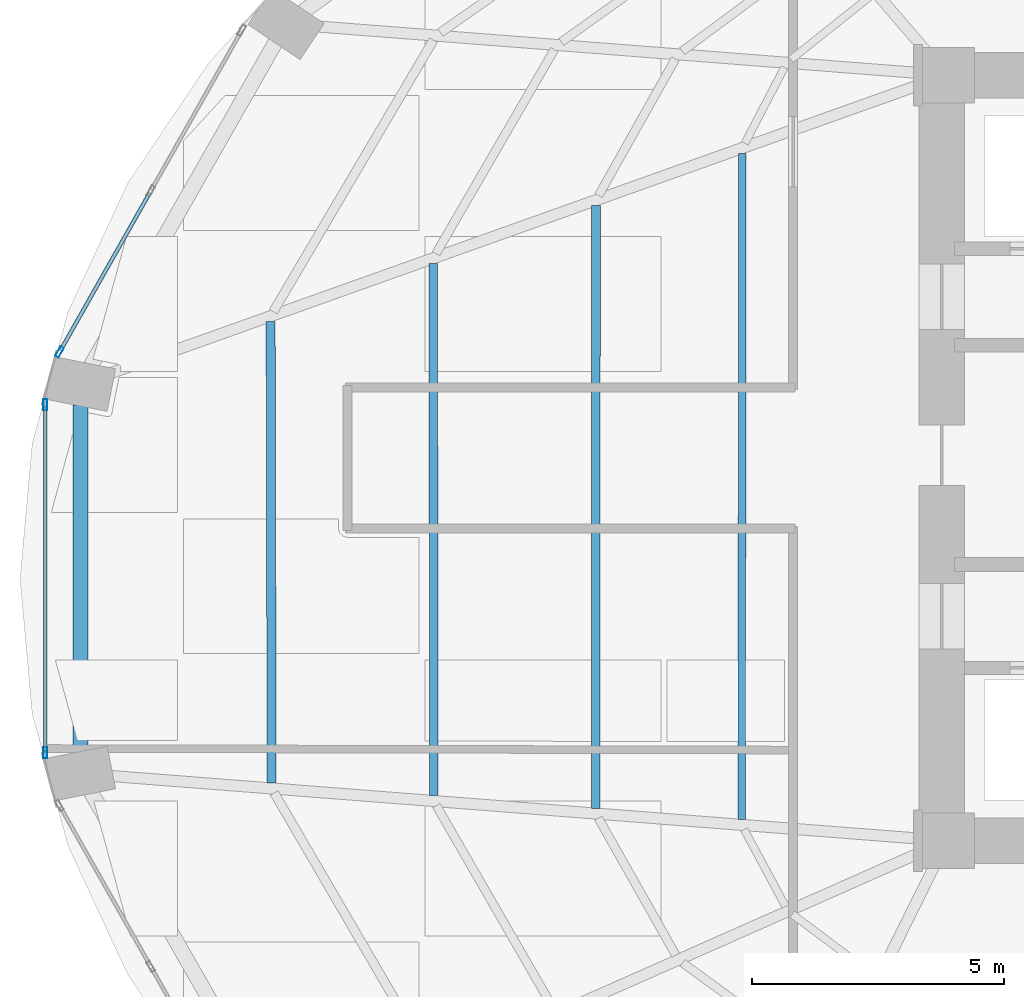
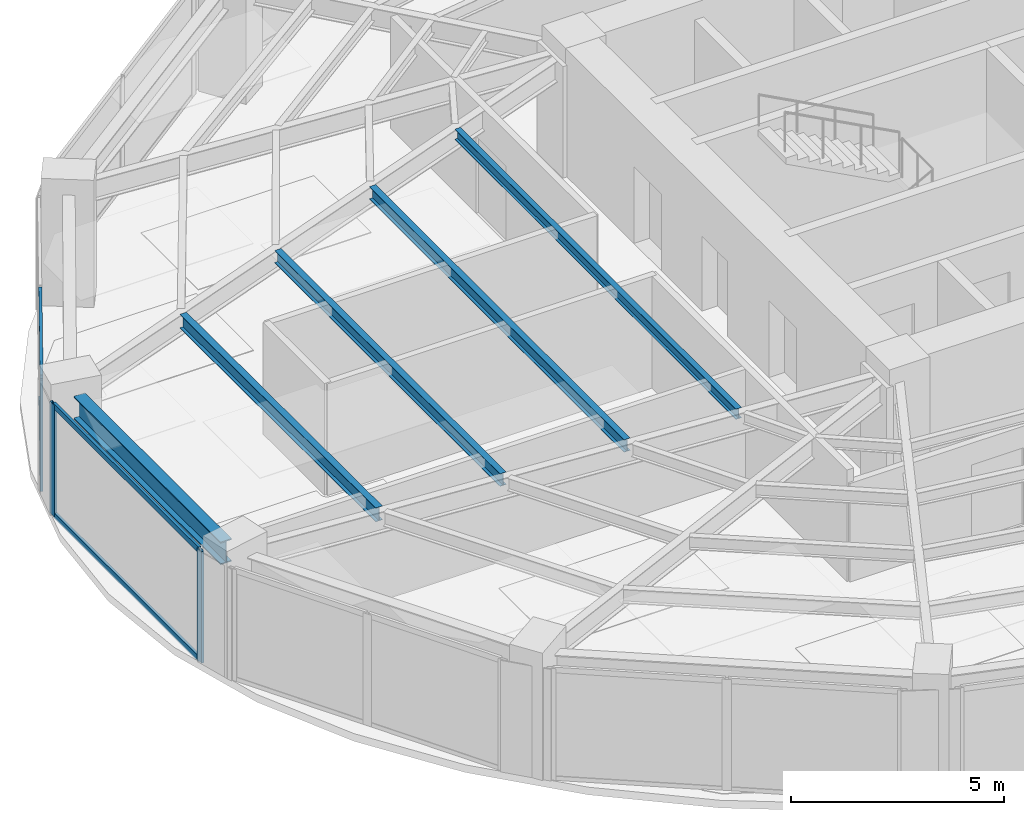
# One storey, part 7 of 24: 7 members, 5 beams, 2 elements without a shape of their own.
"""IFC4 building model written with IfcOpenShell, lengths in metres."""

from ifc_helpers import new_model, si_unit, direction, frame, origin, origin_2d, place, context, subcontext, project, spatial, hollow_rectangle, i_section, extrude, material, layer, layer_set, material_profile, profile_set, type_object, element, aggregate, save


model = new_model("IFC4")

# Units and contexts
model_context = context("Model", 3, precision=1e-05, world=origin(), true_north=direction((0.0, 1.0)))
body_context = subcontext(model_context, "Body", "Model", "MODEL_VIEW")
ifc_project = project(units=[si_unit("LENGTHUNIT", "METRE"), si_unit("AREAUNIT", "SQUARE_METRE"), si_unit("VOLUMEUNIT", "CUBIC_METRE"), si_unit("PLANEANGLEUNIT", "RADIAN"), si_unit("MASSUNIT", "GRAM", prefix="KILO")], contexts=[model_context])

# Site, building, storey
site_placement = place(None, origin())
site = spatial("IfcSite", under=ifc_project, at=site_placement, CompositionType="ELEMENT")
building_placement = place(site_placement, origin())
building = spatial("IfcBuilding", under=site, at=building_placement, Name="Lazwardi Medical Tower", CompositionType="ELEMENT")
storey_placement = place(building_placement, frame((0.0, 0.0, 72.6240234375)))
storey = spatial("IfcBuildingStorey", under=building, at=storey_placement, Name="L18", CompositionType="ELEMENT", Elevation=72.6240234375)

# Beams
ifc_material_1 = material(Name="Steel S355", Category="steel")
ifc_material_profile_1 = material_profile(ifc_material_1, i_section(OverallWidth=0.300048828125, OverallDepth=0.64990234375, WebThickness=0.01611328125, FlangeThickness=0.031005859375, at=origin_2d()), Name="HEB 650")
ifc_profile_set_1 = profile_set([ifc_material_profile_1], Name="Steel S355")
beam_type_1 = type_object("IfcBeamType", Name="BM-RB-Z1", PredefinedType="BEAM", material=ifc_profile_set_1)
beam_1_placement = place(storey_placement, frame((9.199951171875, 29.047607421875, 2.873046875), z_axis=(0.0, -1.0, 0.0), x_axis=(1.0, 0.0, 0.0)))
element("IfcBeam", 1, at=beam_1_placement, inside=storey, type_object=beam_type_1, Name="Ring beam RB-02 B12 L18", PredefinedType="BEAM", context=body_context, shape_type="SweptSolid", body=[
    extrude(i_section(OverallWidth=0.300048828125, OverallDepth=0.64990234375, WebThickness=0.01611328125, FlangeThickness=0.031005859375, at=origin_2d()), origin(), (0.0, 0.0, 1.0), 6.895263671875),
])
ifc_material_profile_2 = material_profile(ifc_material_1, i_section(OverallWidth=0.179931640625, OverallDepth=0.39990234375, WebThickness=0.008544921875, FlangeThickness=0.013427734375, at=origin_2d()), Name="IPE 400")
ifc_profile_set_2 = profile_set([ifc_material_profile_2], Name="Steel S355")
beam_type_2 = type_object("IfcBeamType", Name="BM-SJ-01", PredefinedType="JOIST", material=ifc_profile_set_2)
beam_2_placement = place(storey_placement, frame((12.9765625, 30.708984375, 2.998046875), z_axis=(0.002077613181, -0.999997841759, 0.0), x_axis=(0.999997841759, 0.002077613181, 0.0)))
element("IfcBeam", 2, at=beam_2_placement, inside=storey, type_object=beam_type_2, Name="Secondary joist SJ-01 R1 B12 L18", PredefinedType="JOIST", context=body_context, shape_type="SweptSolid", body=[
    extrude(i_section(OverallWidth=0.179931640625, OverallDepth=0.39990234375, WebThickness=0.008544921875, FlangeThickness=0.013427734375, at=origin_2d()), origin(), (0.0, 0.0, 1.0), 9.165771484375),
])
ifc_material_profile_3 = material_profile(ifc_material_1, i_section(OverallWidth=0.169921875, OverallDepth=0.360107421875, WebThickness=0.008056640625, FlangeThickness=0.0126953125, at=origin_2d()), Name="IPE 360")
ifc_profile_set_3 = profile_set([ifc_material_profile_3], Name="Steel S355")
beam_type_3 = type_object("IfcBeamType", Name="BM-SJ-02", PredefinedType="JOIST", material=ifc_profile_set_3)
beam_3_placement = place(storey_placement, frame((16.206298828125, 31.860595703125, 3.01806640625), z_axis=(0.000670039821, -0.999999775523, 0.0), x_axis=(0.999999775523, 0.000670039821, 0.0)))
element("IfcBeam", 3, at=beam_3_placement, inside=storey, type_object=beam_type_3, Name="Secondary joist SJ-02 R2 B12 L18", PredefinedType="JOIST", context=body_context, shape_type="SweptSolid", body=[
    extrude(i_section(OverallWidth=0.169921875, OverallDepth=0.360107421875, WebThickness=0.008056640625, FlangeThickness=0.0126953125, at=origin_2d()), origin(), (0.0, 0.0, 1.0), 10.566650390625),
])
beam_4_placement = place(storey_placement, frame((19.43603515625, 33.01220703125, 3.01806640625), z_axis=(-0.000387612685, -0.999999924878, 0.0), x_axis=(0.999999924878, -0.000387612685, 0.0)))
element("IfcBeam", 4, at=beam_4_placement, inside=storey, type_object=beam_type_3, Name="Secondary joist SJ-02 R3 B12 L18", PredefinedType="JOIST", context=body_context, shape_type="SweptSolid", body=[
    extrude(i_section(OverallWidth=0.169921875, OverallDepth=0.360107421875, WebThickness=0.008056640625, FlangeThickness=0.0126953125, at=origin_2d()), origin(), (0.0, 0.0, 1.0), 11.96728515625),
])
ifc_material_profile_4 = material_profile(ifc_material_1, i_section(OverallWidth=0.14990234375, OverallDepth=0.300048828125, WebThickness=0.007080078125, FlangeThickness=0.0107421875, at=origin_2d()), Name="IPE 300")
ifc_profile_set_4 = profile_set([ifc_material_profile_4], Name="Steel S355")
beam_type_4 = type_object("IfcBeamType", Name="BM-SJ-03", PredefinedType="JOIST", material=ifc_profile_set_4)
beam_5_placement = place(storey_placement, frame((22.343017578125, 34.048583984375, 3.048095703125), z_axis=(-0.001181203266, -0.999999302379, 0.0), x_axis=(0.999999302379, -0.001181203266, 0.0)))
element("IfcBeam", 5, at=beam_5_placement, inside=storey, type_object=beam_type_4, Name="Secondary joist SJ-03 R4 B12 L18", PredefinedType="JOIST", context=body_context, shape_type="SweptSolid", body=[
    extrude(i_section(OverallWidth=0.14990234375, OverallDepth=0.300048828125, WebThickness=0.007080078125, FlangeThickness=0.0107421875, at=origin_2d()), origin(), (0.0, 0.0, 1.0), 13.22802734375),
])

# Curtain wall, member
ifc_material_2 = material(Name="Anodised bronze aluminium and solar control glazing", Category="aluminium")
ifc_layer = layer(ifc_material_2, 0.199951171875)
ifc_layer_set = layer_set([ifc_layer], Name="Anodised bronze aluminium and solar control glazing")
curtain_wall_type = type_object("IfcCurtainWallType", Name="CW-SYS-02", PredefinedType="NOTDEFINED", material=ifc_layer_set)
curtain_wall_1_placement = place(storey_placement, origin())
curtain_wall_1 = element("IfcCurtainWall", 6, at=curtain_wall_1_placement, inside=storey, type_object=curtain_wall_type, Name="L18 Unitised bronze curtain wall CW-02", PredefinedType="NOTDEFINED")
ifc_material_3 = material(Name="Anodised bronze aluminium", Category="aluminium")
ifc_material_profile_5 = material_profile(ifc_material_3, hollow_rectangle(XDim=0.074951171875, YDim=0.219970703125, WallThickness=0.00390625, at=origin_2d()), Name="ALU-MULLION 220x75x4")
ifc_profile_set_5 = profile_set([ifc_material_profile_5], Name="Anodised bronze aluminium")
member_type_1 = type_object("IfcMemberType", Name="CW-MUL-01", PredefinedType="MULLION", material=ifc_profile_set_5)
member_1_placement = place(storey_placement, frame((8.785888671875, 30.102294921875, 0.0), z_axis=(0.0, 0.0, 1.0), x_axis=(0.870111838823, -0.492854327303, 0.0)))
member_1 = element("IfcMember", 7, at=member_1_placement, type_object=member_type_1, Name="CW-02 mullion 3", PredefinedType="MULLION", context=body_context, shape_type="SweptSolid", body=[
    extrude(hollow_rectangle(XDim=0.074951171875, YDim=0.219970703125, WallThickness=0.00390625, at=origin_2d()), origin(), (0.0, 0.0, 1.0), 3.197998046875),
])

# Curtain wall, members
curtain_wall_2_placement = place(storey_placement, origin())
curtain_wall_2 = element("IfcCurtainWall", 8, at=curtain_wall_2_placement, inside=storey, type_object=curtain_wall_type, Name="L18 Unitised bronze curtain wall CW-02", PredefinedType="NOTDEFINED")
member_2_placement = place(storey_placement, frame((8.50146484375, 29.053955078125, 0.0), z_axis=(0.0, 0.0, 1.0), x_axis=(1.0, 0.0, 0.0)))
member_2 = element("IfcMember", 9, at=member_2_placement, type_object=member_type_1, Name="CW-02 mullion 1", PredefinedType="MULLION", context=body_context, shape_type="SweptSolid", body=[
    extrude(hollow_rectangle(XDim=0.074951171875, YDim=0.219970703125, WallThickness=0.00390625, at=origin_2d()), origin(), (0.0, 0.0, 1.0), 3.197998046875),
])
member_3_placement = place(storey_placement, frame((8.50146484375, 22.14599609375, 0.0), z_axis=(0.0, 0.0, 1.0), x_axis=(1.0, 0.0, 0.0)))
member_3 = element("IfcMember", 10, at=member_3_placement, type_object=member_type_1, Name="CW-02 mullion 2", PredefinedType="MULLION", context=body_context, shape_type="SweptSolid", body=[
    extrude(hollow_rectangle(XDim=0.074951171875, YDim=0.219970703125, WallThickness=0.00390625, at=origin_2d()), origin(), (0.0, 0.0, 1.0), 3.197998046875),
])

# Member
ifc_material_profile_6 = material_profile(ifc_material_3, hollow_rectangle(XDim=0.074951171875, YDim=0.159912109375, WallThickness=0.00390625, at=origin_2d()), Name="ALU-TRANSOM 160x75x4")
ifc_profile_set_6 = profile_set([ifc_material_profile_6], Name="Anodised bronze aluminium")
member_type_2 = type_object("IfcMemberType", Name="CW-TRN-01", PredefinedType="USERDEFINED", material=ifc_profile_set_6)
member_4_placement = place(storey_placement, frame((10.576171875, 33.262939453125, 0.03759765625), z_axis=(-0.49285148925, -0.870113446365, 0.0), x_axis=(0.870113446365, -0.49285148925, 0.0)))
member_4 = element("IfcMember", 11, at=member_4_placement, type_object=member_type_2, Name="CW-02 transom 2.1", ObjectType="TRANSOM", PredefinedType="USERDEFINED", context=body_context, shape_type="SweptSolid", body=[
    extrude(hollow_rectangle(XDim=0.074951171875, YDim=0.159912109375, WallThickness=0.00390625, at=origin_2d()), origin(), (0.0, 0.0, 1.0), 3.594970703125),
])

member_5_placement = place(storey_placement, frame((10.576171875, 33.262939453125, 3.160400390625), z_axis=(-0.49285148925, -0.870113446365, 0.0), x_axis=(0.870113446365, -0.49285148925, 0.0)))
member_5 = element("IfcMember", 12, at=member_5_placement, type_object=member_type_2, Name="CW-02 transom 2.2", ObjectType="TRANSOM", PredefinedType="USERDEFINED", context=body_context, shape_type="SweptSolid", body=[
    extrude(hollow_rectangle(XDim=0.074951171875, YDim=0.159912109375, WallThickness=0.00390625, at=origin_2d()), origin(), (0.0, 0.0, 1.0), 3.594970703125),
])

aggregate(curtain_wall_1, [member_1, member_4, member_5])

member_6_placement = place(storey_placement, frame((8.50146484375, 29.0166015625, 0.03759765625), z_axis=(0.0, -1.0, 0.0), x_axis=(1.0, 0.0, 0.0)))
member_6 = element("IfcMember", 13, at=member_6_placement, type_object=member_type_2, Name="CW-02 transom 1.1", ObjectType="TRANSOM", PredefinedType="USERDEFINED", context=body_context, shape_type="SweptSolid", body=[
    extrude(hollow_rectangle(XDim=0.074951171875, YDim=0.159912109375, WallThickness=0.00390625, at=origin_2d()), origin(), (0.0, 0.0, 1.0), 6.8330078125),
])

member_7_placement = place(storey_placement, frame((8.50146484375, 29.0166015625, 3.160400390625), z_axis=(0.0, -1.0, 0.0), x_axis=(1.0, 0.0, 0.0)))
member_7 = element("IfcMember", 14, at=member_7_placement, type_object=member_type_2, Name="CW-02 transom 1.2", ObjectType="TRANSOM", PredefinedType="USERDEFINED", context=body_context, shape_type="SweptSolid", body=[
    extrude(hollow_rectangle(XDim=0.074951171875, YDim=0.159912109375, WallThickness=0.00390625, at=origin_2d()), origin(), (0.0, 0.0, 1.0), 6.8330078125),
])

aggregate(curtain_wall_2, [member_2, member_3, member_6, member_7])

save(model, "model.ifc")
